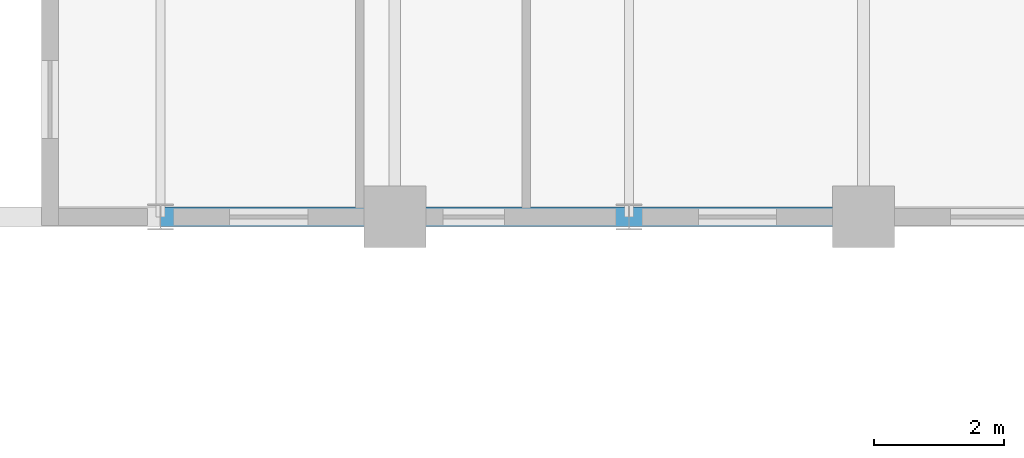
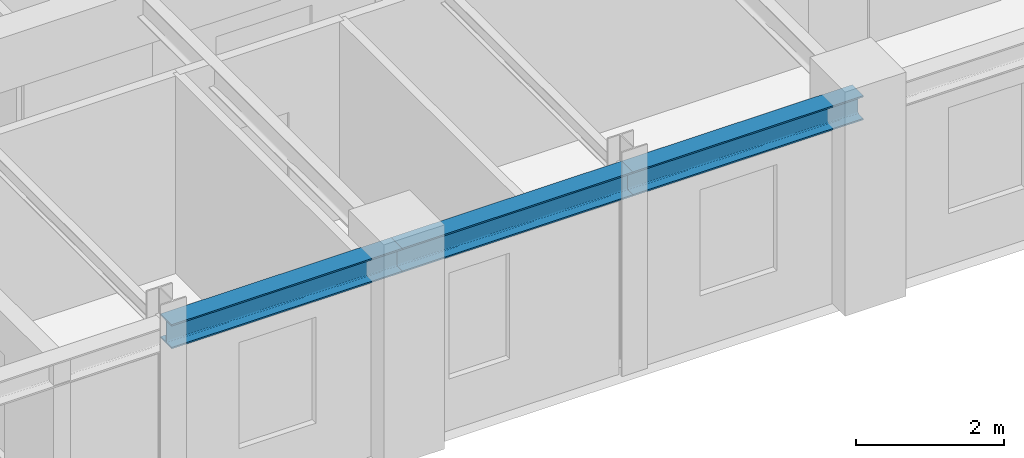
# One storey, part 5 of 23: 3 beams.
"""IFC4 building model written with IfcOpenShell, lengths in metres."""

import ifcopenshell
import ifcopenshell.guid

model = None  # the IFC model being written
_history = None  # IfcOwnerHistory: only IFC2X3 demands one
_inside = {}  # id of a spatial element -> (the spatial element, [elements in it])
_under = {}  # id of a project, library or spatial element -> (it, [spatial elements below it])
_declared = {}  # id of a project -> (the project, [libraries it declares])
_typed = {}  # id of a type object -> (the type object, [elements of that type])
_made_of = {}  # id of a material, layer set ... -> (it, [elements and type objects made of it])


def new_model(schema):
    """Start an empty IFC model of exactly this schema.

    Asked for "IFC4X3", IfcOpenShell would pick the latest addendum, in which some entities
    have other attributes; the version numbers below select the first issue.
    IFC2X3 requires an IfcOwnerHistory on every rooted entity: one is made here for all.
    """
    global model, _history
    if schema == "IFC4X3":
        model = ifcopenshell.file(schema_version=(4, 3, 0, 0))
    else:
        model = ifcopenshell.file(schema=schema)
    _inside.clear()
    _under.clear()
    _declared.clear()
    _typed.clear()
    _made_of.clear()
    _history = None
    if model.schema == "IFC2X3":
        org = make("IfcOrganization", Name="unknown")
        user = make(
            "IfcPersonAndOrganization",
            ThePerson=make("IfcPerson", FamilyName="unknown"),
            TheOrganization=org,
        )
        app = make(
            "IfcApplication",
            ApplicationDeveloper=org,
            Version="unknown",
            ApplicationFullName="unknown",
            ApplicationIdentifier="unknown",
        )
        _history = make(
            "IfcOwnerHistory",
            OwningUser=user,
            OwningApplication=app,
            ChangeAction="ADDED",
            CreationDate=0,
        )
    return model


def make(cls, **values):
    """One entity of the class cls with the attributes given. An attribute that is None is left unset."""
    return model.create_entity(
        cls, **{name: value for name, value in values.items() if value is not None}
    )


def rooted(cls, **values):
    """An entity with a GlobalId (a new one), such as an element, a storey or a relation."""
    return make(cls, GlobalId=ifcopenshell.guid.new(), OwnerHistory=_history, **values)


def si_unit(unit_type, name, prefix=None):
    """IfcSIUnit, for example si_unit("LENGTHUNIT", "METRE", prefix="MILLI")."""
    return make("IfcSIUnit", UnitType=unit_type, Prefix=prefix, Name=name)


def assignment(units):
    """IfcUnitAssignment: the units of a project."""
    return None if units is None else make("IfcUnitAssignment", Units=units)


def point(xyz):
    """IfcCartesianPoint."""
    return None if xyz is None else make("IfcCartesianPoint", Coordinates=xyz)


def direction(xyz):
    """IfcDirection."""
    return None if xyz is None else make("IfcDirection", DirectionRatios=xyz)


def frame(location, z_axis=None, x_axis=None):
    """IfcAxis2Placement3D, a coordinate frame: its origin and axes. An axis left out is left unset."""
    return make(
        "IfcAxis2Placement3D",
        Location=point(location),
        Axis=direction(z_axis),
        RefDirection=direction(x_axis),
    )


def frame_2d(location, x_axis=None):
    """IfcAxis2Placement2D, a coordinate frame in the plane: its origin and x axis."""
    return make(
        "IfcAxis2Placement2D", Location=point(location), RefDirection=direction(x_axis)
    )


def origin():
    """The frame at (0, 0, 0) with its axes left unset."""
    return frame((0.0, 0.0, 0.0))


def origin_2d():
    """The frame at (0, 0) in the plane with its x axis left unset."""
    return frame_2d((0.0, 0.0))


def place(relative_to, where):
    """IfcLocalPlacement: puts the frame where relative to a parent placement (None: the world)."""
    return make(
        "IfcLocalPlacement", PlacementRelTo=relative_to, RelativePlacement=where
    )


def context(
    kind, dimensions, precision=None, world=None, true_north=None, identifier=None
):
    """IfcGeometricRepresentationContext, for example the 3D "Model" context."""
    return make(
        "IfcGeometricRepresentationContext",
        ContextIdentifier=identifier,
        ContextType=kind,
        CoordinateSpaceDimension=dimensions,
        Precision=precision,
        WorldCoordinateSystem=world,
        TrueNorth=true_north,
    )


def subcontext(parent, identifier, kind, view, scale=None):
    """IfcGeometricRepresentationSubContext, for example "Body" below "Model"."""
    return make(
        "IfcGeometricRepresentationSubContext",
        ContextIdentifier=identifier,
        ContextType=kind,
        ParentContext=parent,
        TargetScale=scale,
        TargetView=view,
    )


def project(units=None, contexts=None):
    """IfcProject with its units and contexts."""
    return rooted(
        "IfcProject",
        Name="project",
        RepresentationContexts=contexts,
        UnitsInContext=assignment(units),
    )


def spatial(cls, under=None, at=None, **own):
    """A site, building, storey or space (cls), placed at a placement, below another one or the project."""
    s = rooted(cls, ObjectPlacement=at, **own)
    if under is not None:
        _under.setdefault(under.id(), (under, []))[1].append(s)
    return s


def profile(cls, at=None, kind="AREA", **sizes):
    """A parametric profile (cls). Its sizes go by their IFC names, for example OverallWidth=200.0."""
    return make(cls, ProfileType=kind, Position=at, **sizes)


def i_section(**sizes):
    """IfcIShapeProfileDef."""
    return profile("IfcIShapeProfileDef", **sizes)


def extrude(swept, where, along, depth):
    """IfcExtrudedAreaSolid: the profile swept, set in the frame where, extruded along a direction by depth."""
    return make(
        "IfcExtrudedAreaSolid",
        SweptArea=swept,
        Position=where,
        ExtrudedDirection=direction(along),
        Depth=depth,
    )


def shape(context_of_items, identifier, shape_type, items):
    """IfcShapeRepresentation: the items that make up one representation, for example the "Body"."""
    return make(
        "IfcShapeRepresentation",
        ContextOfItems=context_of_items,
        RepresentationIdentifier=identifier,
        RepresentationType=shape_type,
        Items=items,
    )


def source(mapping_origin, context_of_items, identifier, shape_type, items):
    """IfcRepresentationMap: a shape defined once, which mapped items show again and again."""
    return make(
        "IfcRepresentationMap",
        MappingOrigin=mapping_origin,
        MappedRepresentation=shape(context_of_items, identifier, shape_type, items),
    )


def transform(
    local_origin,
    x_axis=None,
    y_axis=None,
    z_axis=None,
    scale=None,
    scale2=None,
    scale3=None,
    uniform=True,
):
    """IfcCartesianTransformationOperator3D, or its non-uniform kind. x_axis, y_axis, z_axis: its Axis1, 2, 3."""
    if uniform:
        return make(
            "IfcCartesianTransformationOperator3D",
            Axis1=direction(x_axis),
            Axis2=direction(y_axis),
            LocalOrigin=point(local_origin),
            Scale=scale,
            Axis3=direction(z_axis),
        )
    return make(
        "IfcCartesianTransformationOperator3DnonUniform",
        Axis1=direction(x_axis),
        Axis2=direction(y_axis),
        LocalOrigin=point(local_origin),
        Scale=scale,
        Axis3=direction(z_axis),
        Scale2=scale2,
        Scale3=scale3,
    )


def mapped(mapping_source, mapping_target):
    """IfcMappedItem: shows the shape of a source again, moved by a transform."""
    return make(
        "IfcMappedItem", MappingSource=mapping_source, MappingTarget=mapping_target
    )


def material(Name=None, Category=None):
    """IfcMaterial."""
    return make("IfcMaterial", Name=Name, Category=Category)


def material_profile(
    of_material, cross_section, Name=None, Category=None, Priority=None
):
    """IfcMaterialProfile: a cross section and its material."""
    return make(
        "IfcMaterialProfile",
        Name=Name,
        Material=of_material,
        Profile=cross_section,
        Priority=Priority,
        Category=Category,
    )


def profile_set(profiles, Name=None, composite=None):
    """IfcMaterialProfileSet."""
    return make(
        "IfcMaterialProfileSet",
        Name=Name,
        MaterialProfiles=profiles,
        CompositeProfile=composite,
    )


def made_of(thing, what):
    """Note that an element or type object is made of a material, layer set ...; save() writes the relation."""
    if what is not None:
        _made_of.setdefault(what.id(), (what, []))[1].append(thing)
    return thing


def type_object(cls, material=None, **own):
    """A type object (cls), such as IfcWallType, which elements share."""
    return made_of(rooted(cls, **own), material)


def element(
    cls,
    number,
    at=None,
    inside=None,
    cuts=None,
    type_object=None,
    material=None,
    context=None,
    identifier="Body",
    shape_type=None,
    held_by="IfcProductDefinitionShape",
    body=None,
    shapes=None,
    **own,
):
    """One element of the class cls, such as IfcWall. Its Tag is "e" and its number.

    at: its placement. inside: the storey or other place that contains it. cuts: it is an
    opening in that element (IfcRelVoidsElement). A single representation is given by context,
    identifier, shape_type and body (its items); several are given by shapes. held_by: the class
    of the entity that holds the representations. save() writes the other relations.
    """
    e = rooted(cls, Tag="e%d" % number, ObjectPlacement=at, **own)
    if body is not None:
        shapes = [shape(context, identifier, shape_type, body)]
    if shapes is not None:
        e.Representation = make(held_by, Representations=shapes)
    if inside is not None:
        _inside.setdefault(inside.id(), (inside, []))[1].append(e)
    if cuts is not None:
        rooted(
            "IfcRelVoidsElement", RelatingBuildingElement=cuts, RelatedOpeningElement=e
        )
    if type_object is not None:
        _typed.setdefault(type_object.id(), (type_object, []))[1].append(e)
    return made_of(e, material)


def aggregate(whole, parts):
    """IfcRelAggregates: a whole, such as a stair, and the parts it consists of."""
    return rooted("IfcRelAggregates", RelatingObject=whole, RelatedObjects=parts)


def save(model, path):
    """Write the relations noted so far, then the file.

    IfcRelAggregates (storeys below a building ...), IfcRelContainedInSpatialStructure (elements
    in a storey), IfcRelDefinesByType, IfcRelAssociatesMaterial and IfcRelDeclares: one each for
    every whole, place, type object, material and project.
    """
    for whole, parts in _under.values():
        aggregate(whole, parts)
    for where, things in _inside.values():
        rooted(
            "IfcRelContainedInSpatialStructure",
            RelatedElements=things,
            RelatingStructure=where,
        )
    for kind, things in _typed.values():
        rooted("IfcRelDefinesByType", RelatedObjects=things, RelatingType=kind)
    for what, things in _made_of.values():
        rooted("IfcRelAssociatesMaterial", RelatedObjects=things, RelatingMaterial=what)
    for by, libraries in _declared.values():
        rooted("IfcRelDeclares", RelatingContext=by, RelatedDefinitions=libraries)
    model.write(path)


model = new_model("IFC4")

# Units and contexts
model_context = context("Model", 3, precision=1e-05, world=origin(), true_north=direction((0.0, 1.0)))
body_context = subcontext(model_context, "Body", "Model", "MODEL_VIEW")
ifc_project = project(units=[si_unit("LENGTHUNIT", "METRE"), si_unit("AREAUNIT", "SQUARE_METRE"), si_unit("VOLUMEUNIT", "CUBIC_METRE"), si_unit("PLANEANGLEUNIT", "RADIAN"), si_unit("MASSUNIT", "GRAM", prefix="KILO")], contexts=[model_context])

# Site, building, storey
site_placement = place(None, origin())
site = spatial("IfcSite", under=ifc_project, at=site_placement, CompositionType="ELEMENT")
building_placement = place(site_placement, origin())
building = spatial("IfcBuilding", under=site, at=building_placement, Name="Kaliganga Portal Commons", CompositionType="ELEMENT")
storey_placement = place(building_placement, frame((0.0, 0.0, 246.199951171875)))
storey = spatial("IfcBuildingStorey", under=building, at=storey_placement, Name="L63", CompositionType="ELEMENT", Elevation=246.199951171875)

# Beams
ifc_material = material(Name="Structural steel S355J2", Category="steel")
ifc_material_profile = material_profile(ifc_material, i_section(OverallWidth=0.300048828125, OverallDepth=0.39990234375, WebThickness=0.013427734375, FlangeThickness=0.02392578125, FilletRadius=0.027099609375, at=origin_2d()), Name="HE 400 B")
ifc_profile_set = profile_set([ifc_material_profile], Name="Structural steel S355J2 wide-flange")
beam_type = type_object("IfcBeamType", Name="BM-SPAND-400", PredefinedType="SPANDREL", material=ifc_profile_set)
shared_shape_1 = source(origin(), body_context, "Body", "SweptSolid", [
    extrude(i_section(OverallWidth=0.300048828125, OverallDepth=0.39990234375, WebThickness=0.013427734375, FlangeThickness=0.02392578125, FilletRadius=0.027099609375, at=origin_2d()), origin(), (0.0, 0.0, 1.0), 3.60009765625),
])
for number, where, z_axis, x_axis, name in (
    (1, (18.0, 21.60009765625, 3.080078125), (1.0, 0.0, 0.0), (0.0, 1.0, 0.0), "BM SP L63 AS 2"),
    (2, (25.199951171875, 21.60009765625, 3.080078125), (1.0, 0.0, 0.0), (0.0, 1.0, 0.0), "BM SP L63 AS 4"),
):
    element("IfcBeam", number, at=place(storey_placement, frame(where, z_axis=z_axis, x_axis=x_axis)), inside=storey, type_object=beam_type, Name=name, PredefinedType="SPANDREL", context=body_context, shape_type="MappedRepresentation", body=[
        mapped(shared_shape_1, transform((0.0, 0.0, 0.0), x_axis=(1.0, 0.0, 0.0), y_axis=(0.0, 1.0, 0.0), z_axis=(0.0, 0.0, 1.0), scale=1.0)),
    ])
shared_shape_2 = source(origin(), body_context, "Body", "SweptSolid", [
    extrude(i_section(OverallWidth=0.300048828125, OverallDepth=0.39990234375, WebThickness=0.013427734375, FlangeThickness=0.02392578125, FilletRadius=0.027099609375, at=origin_2d()), origin(), (0.0, 0.0, 1.0), 3.599853515625),
])
beam_placement = place(storey_placement, frame((21.60009765625, 21.60009765625, 3.080078125), z_axis=(1.0, 0.0, 0.0), x_axis=(0.0, 1.0, 0.0)))
element("IfcBeam", 3, at=beam_placement, inside=storey, type_object=beam_type, Name="BM SP L63 AS 3", PredefinedType="SPANDREL", context=body_context, shape_type="MappedRepresentation", body=[
    mapped(shared_shape_2, transform((0.0, 0.0, 0.0), x_axis=(1.0, 0.0, 0.0), y_axis=(0.0, 1.0, 0.0), z_axis=(0.0, 0.0, 1.0), scale=1.0)),
])

save(model, "model.ifc")
